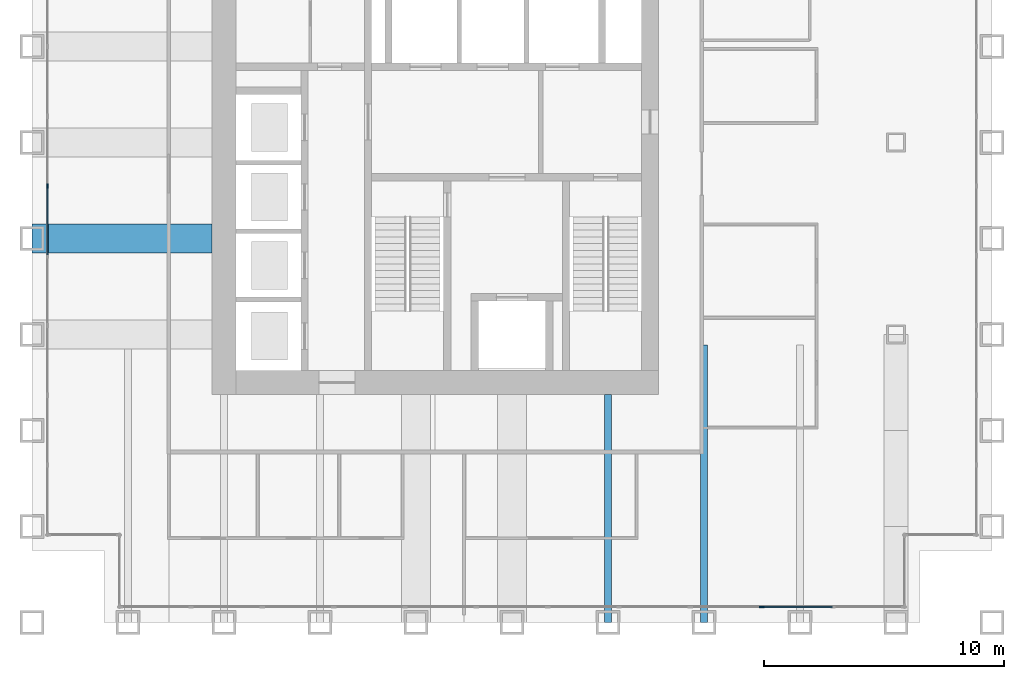
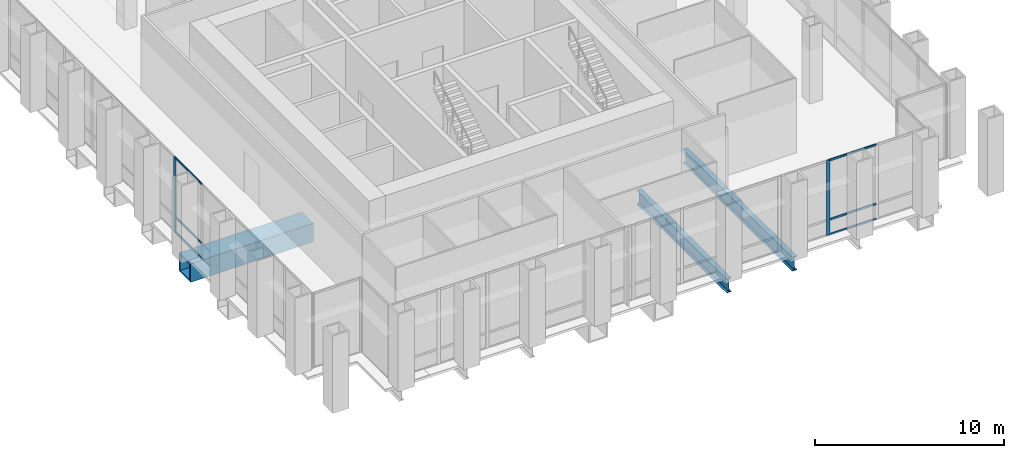
# One storey, part 3 of 13: 8 members, 3 beams, 2 elements without a shape of their own.
"""IFC4 building model written with IfcOpenShell, lengths in metres."""

from ifc_helpers import new_model, si_unit, direction, frame, origin, origin_2d, place, context, subcontext, project, spatial, rectangle, hollow_rectangle, i_section, extrude, material, material_profile, profile_set, type_object, element, aggregate, save


model = new_model("IFC4")

# Units and contexts
model_context = context("Model", 3, precision=1e-05, world=origin(), true_north=direction((0.0, 1.0)))
body_context = subcontext(model_context, "Body", "Model", "MODEL_VIEW")
ifc_project = project(units=[si_unit("LENGTHUNIT", "METRE"), si_unit("AREAUNIT", "SQUARE_METRE"), si_unit("VOLUMEUNIT", "CUBIC_METRE"), si_unit("PLANEANGLEUNIT", "RADIAN"), si_unit("MASSUNIT", "GRAM", prefix="KILO")], contexts=[model_context])

# Site, building, storey
site_placement = place(None, origin())
site = spatial("IfcSite", under=ifc_project, at=site_placement, CompositionType="ELEMENT")
building_placement = place(site_placement, origin())
building = spatial("IfcBuilding", under=site, at=building_placement, Name="Rimbunsela Tower", CompositionType="ELEMENT")
storey_placement = place(building_placement, frame((0.0, 0.0, 209.199951171875)))
storey = spatial("IfcBuildingStorey", under=building, at=storey_placement, Name="L50", CompositionType="ELEMENT", Elevation=209.199951171875)

# Beams
ifc_material_1 = material(Name="Steel BJ 55 (fy 410 MPa)", Category="steel")
ifc_material_profile_1 = material_profile(ifc_material_1, hollow_rectangle(XDim=1.199951171875, YDim=1.199951171875, WallThickness=0.10009765625, at=origin_2d()), Name="BOX 1200x1200x100")
ifc_profile_set_1 = profile_set([ifc_material_profile_1], Name="Steel BJ 55 (fy 410 MPa)")
beam_type_1 = type_object("IfcBeamType", Name="Beam BOX 1200x1200x100", PredefinedType="BEAM", material=ifc_profile_set_1)
beam_1_placement = place(storey_placement, frame((10.0, 24.0, -0.75), z_axis=(1.0, 0.0, 0.0), x_axis=(0.0, 1.0, 0.0)))
element("IfcBeam", 1, at=beam_1_placement, inside=storey, type_object=beam_type_1, Name="Beam B5 L50", PredefinedType="BEAM", context=body_context, shape_type="SweptSolid", body=[
    extrude(hollow_rectangle(XDim=1.199951171875, YDim=1.199951171875, WallThickness=0.10009765625, at=origin_2d()), origin(), (0.0, 0.0, 1.0), 7.5),
])
ifc_material_2 = material(Name="Steel BJ 55 (fy 410 MPa)", Category="steel")
ifc_material_profile_2 = material_profile(ifc_material_2, i_section(OverallWidth=0.300048828125, OverallDepth=0.89990234375, WebThickness=0.01611328125, FlangeThickness=0.028076171875, FilletRadius=0.028076171875, at=origin_2d()), Name="H 900x300x16x28")
ifc_profile_set_2 = profile_set([ifc_material_profile_2], Name="Steel BJ 55 (fy 410 MPa)")
beam_type_2 = type_object("IfcBeamType", Name="Beam H 900x300x16x28", PredefinedType="BEAM", material=ifc_profile_set_2)
beam_2_placement = place(storey_placement, frame((34.0, 8.0, -0.599853515625), z_axis=(0.0, 1.0, 0.0), x_axis=(-1.0, 0.0, 0.0)))
element("IfcBeam", 2, at=beam_2_placement, inside=storey, type_object=beam_type_2, Name="Beam B2 L50", PredefinedType="BEAM", context=body_context, shape_type="SweptSolid", body=[
    extrude(i_section(OverallWidth=0.300048828125, OverallDepth=0.89990234375, WebThickness=0.01611328125, FlangeThickness=0.028076171875, FilletRadius=0.028076171875, at=origin_2d()), origin(), (0.0, 0.0, 1.0), 9.5),
])
beam_3_placement = place(storey_placement, frame((38.0, 8.0, -0.599853515625), z_axis=(0.0, 1.0, 0.0), x_axis=(-1.0, 0.0, 0.0)))
element("IfcBeam", 3, at=beam_3_placement, inside=storey, type_object=beam_type_2, Name="Beam B2 L50", PredefinedType="BEAM", context=body_context, shape_type="SweptSolid", body=[
    extrude(i_section(OverallWidth=0.300048828125, OverallDepth=0.89990234375, WebThickness=0.01611328125, FlangeThickness=0.028076171875, FilletRadius=0.028076171875, at=origin_2d()), origin(), (0.0, 0.0, 1.0), 11.550048828125),
])

# Curtain wall, member
ifc_material_3 = material(Name="Aluminium curtain wall", Category="aluminium")
curtain_wall_type = type_object("IfcCurtainWallType", Name="Sky lobby glazing", PredefinedType="USERDEFINED", material=ifc_material_3)
curtain_wall_1_placement = place(storey_placement, origin())
curtain_wall_1 = element("IfcCurtainWall", 4, at=curtain_wall_1_placement, inside=storey, type_object=curtain_wall_type, Name="Sky lobby glazing L50", ObjectType="SKY LOBBY GLAZING", PredefinedType="USERDEFINED")
ifc_material_4 = material(Name="Aluminium mullion", Category="aluminium")
ifc_material_profile_3 = material_profile(ifc_material_4, rectangle(XDim=0.06005859375, YDim=0.199951171875, at=origin_2d()), Name="Mullion 60x200")
ifc_profile_set_3 = profile_set([ifc_material_profile_3], Name="Aluminium mullion")
member_type_1 = type_object("IfcMemberType", Name="Curtain wall mullion 60x200", PredefinedType="MULLION", material=ifc_profile_set_3)
member_1_placement = place(storey_placement, frame((10.64990234375, 26.185791015625, 0.0), z_axis=(0.0, 0.0, 1.0), x_axis=(1.0, 0.0, 0.0)))
member_1 = element("IfcMember", 5, at=member_1_placement, type_object=member_type_1, Name="CW4 mullion 10", PredefinedType="MULLION", context=body_context, shape_type="SweptSolid", body=[
    extrude(rectangle(XDim=0.06005859375, YDim=0.199951171875, at=origin_2d()), origin(), (0.0, 0.0, 1.0), 4.85009765625),
])

curtain_wall_2_placement = place(storey_placement, origin())
curtain_wall_2 = element("IfcCurtainWall", 6, at=curtain_wall_2_placement, inside=storey, type_object=curtain_wall_type, Name="Sky lobby glazing L50", ObjectType="SKY LOBBY GLAZING", PredefinedType="USERDEFINED")
member_2_placement = place(storey_placement, frame((40.404541015625, 8.64990234375, 0.0), z_axis=(0.0, 0.0, 1.0), x_axis=(0.0, 1.0, 0.0)))
member_2 = element("IfcMember", 7, at=member_2_placement, type_object=member_type_1, Name="CW4 mullion 10", PredefinedType="MULLION", context=body_context, shape_type="SweptSolid", body=[
    extrude(rectangle(XDim=0.06005859375, YDim=0.199951171875, at=origin_2d()), origin(), (0.0, 0.0, 1.0), 4.85009765625),
])

# Member
ifc_material_5 = material(Name="Aluminium transom", Category="aluminium")
ifc_material_profile_4 = material_profile(ifc_material_5, rectangle(XDim=0.06005859375, YDim=0.1201171875, at=origin_2d()), Name="Transom 60x120")
ifc_profile_set_4 = profile_set([ifc_material_profile_4], Name="Aluminium transom")
member_type_2 = type_object("IfcMemberType", Name="Curtain wall transom 60x120", PredefinedType="USERDEFINED", material=ifc_profile_set_4)
member_3_placement = place(storey_placement, frame((10.64990234375, 26.15576171875, 0.030029296875), z_axis=(0.0, -1.0, 0.0), x_axis=(1.0, 0.0, 0.0)))
member_3 = element("IfcMember", 8, at=member_3_placement, type_object=member_type_2, Name="CW4 transom 10.1", ObjectType="TRANSOM", PredefinedType="USERDEFINED", context=body_context, shape_type="SweptSolid", body=[
    extrude(rectangle(XDim=0.06005859375, YDim=0.1201171875, at=origin_2d()), origin(), (0.0, 0.0, 1.0), 2.84716796875),
])

member_4_placement = place(storey_placement, frame((10.64990234375, 26.15576171875, 1.0), z_axis=(0.0, -1.0, 0.0), x_axis=(1.0, 0.0, 0.0)))
member_4 = element("IfcMember", 9, at=member_4_placement, type_object=member_type_2, Name="CW4 transom 10.2", ObjectType="TRANSOM", PredefinedType="USERDEFINED", context=body_context, shape_type="SweptSolid", body=[
    extrude(rectangle(XDim=0.06005859375, YDim=0.1201171875, at=origin_2d()), origin(), (0.0, 0.0, 1.0), 2.84716796875),
])

member_5_placement = place(storey_placement, frame((10.64990234375, 26.15576171875, 4.820068359375), z_axis=(0.0, -1.0, 0.0), x_axis=(1.0, 0.0, 0.0)))
member_5 = element("IfcMember", 10, at=member_5_placement, type_object=member_type_2, Name="CW4 transom 10.3", ObjectType="TRANSOM", PredefinedType="USERDEFINED", context=body_context, shape_type="SweptSolid", body=[
    extrude(rectangle(XDim=0.06005859375, YDim=0.1201171875, at=origin_2d()), origin(), (0.0, 0.0, 1.0), 2.84716796875),
])

aggregate(curtain_wall_1, [member_1, member_3, member_4, member_5])

member_6_placement = place(storey_placement, frame((40.4345703125, 8.64990234375, 0.030029296875), z_axis=(1.0, 0.0, 0.0), x_axis=(0.0, 1.0, 0.0)))
member_6 = element("IfcMember", 11, at=member_6_placement, type_object=member_type_2, Name="CW4 transom 10.1", ObjectType="TRANSOM", PredefinedType="USERDEFINED", context=body_context, shape_type="SweptSolid", body=[
    extrude(rectangle(XDim=0.06005859375, YDim=0.1201171875, at=origin_2d()), origin(), (0.0, 0.0, 1.0), 2.91259765625),
])

member_7_placement = place(storey_placement, frame((40.4345703125, 8.64990234375, 1.0), z_axis=(1.0, 0.0, 0.0), x_axis=(0.0, 1.0, 0.0)))
member_7 = element("IfcMember", 12, at=member_7_placement, type_object=member_type_2, Name="CW4 transom 10.2", ObjectType="TRANSOM", PredefinedType="USERDEFINED", context=body_context, shape_type="SweptSolid", body=[
    extrude(rectangle(XDim=0.06005859375, YDim=0.1201171875, at=origin_2d()), origin(), (0.0, 0.0, 1.0), 2.91259765625),
])

member_8_placement = place(storey_placement, frame((40.4345703125, 8.64990234375, 4.820068359375), z_axis=(1.0, 0.0, 0.0), x_axis=(0.0, 1.0, 0.0)))
member_8 = element("IfcMember", 13, at=member_8_placement, type_object=member_type_2, Name="CW4 transom 10.3", ObjectType="TRANSOM", PredefinedType="USERDEFINED", context=body_context, shape_type="SweptSolid", body=[
    extrude(rectangle(XDim=0.06005859375, YDim=0.1201171875, at=origin_2d()), origin(), (0.0, 0.0, 1.0), 2.91259765625),
])

aggregate(curtain_wall_2, [member_2, member_6, member_7, member_8])

save(model, "model.ifc")
